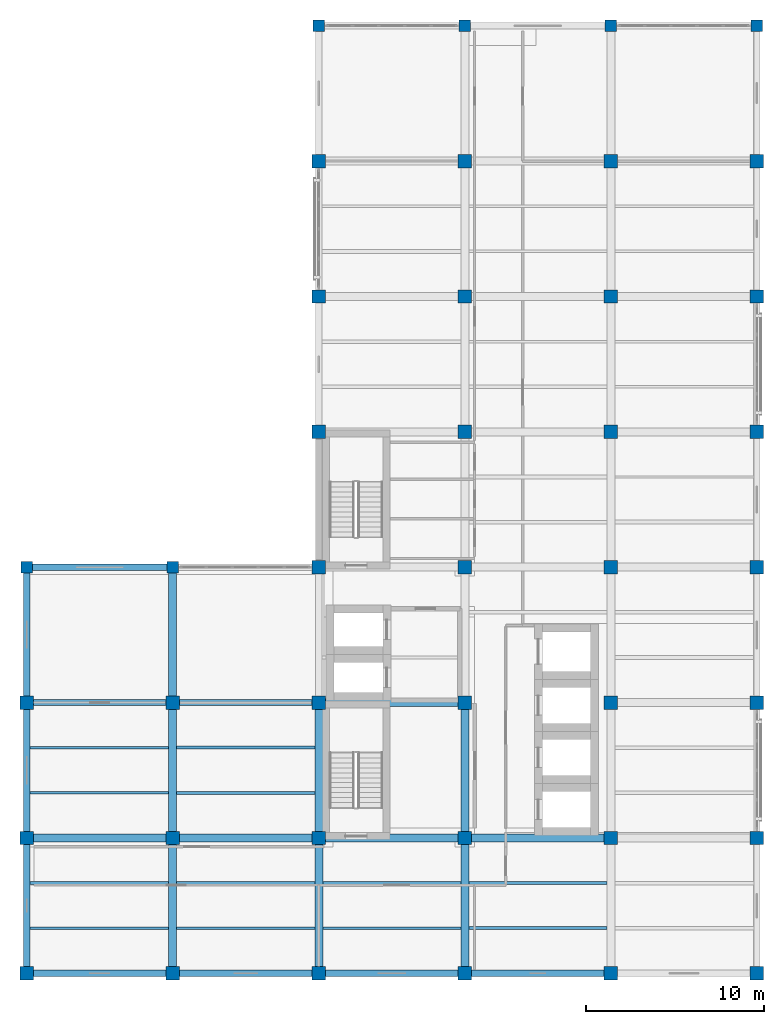
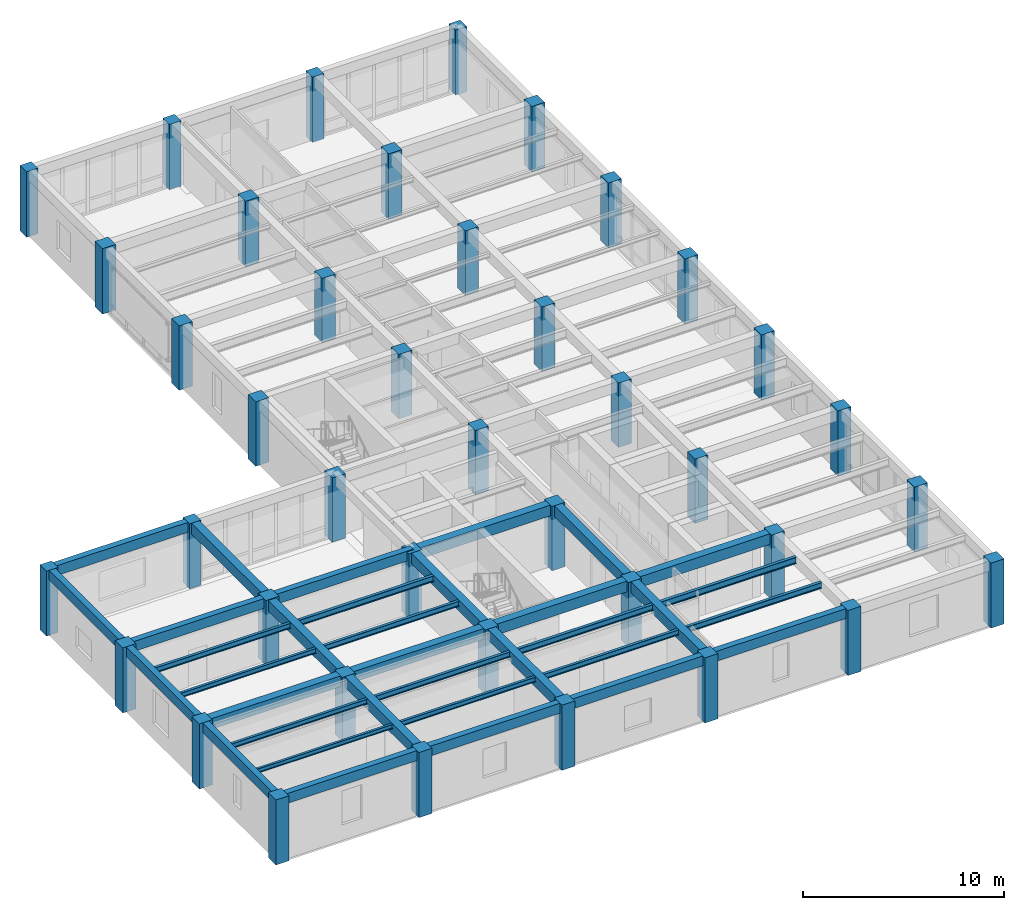
# One storey, part 1 of 14: 40 columns, 34 beams.
"""IFC4 building model written with IfcOpenShell, lengths in metres."""

import ifcopenshell
import ifcopenshell.guid

model = None  # the IFC model being written
_history = None  # IfcOwnerHistory: only IFC2X3 demands one
_inside = {}  # id of a spatial element -> (the spatial element, [elements in it])
_under = {}  # id of a project, library or spatial element -> (it, [spatial elements below it])
_declared = {}  # id of a project -> (the project, [libraries it declares])
_typed = {}  # id of a type object -> (the type object, [elements of that type])
_made_of = {}  # id of a material, layer set ... -> (it, [elements and type objects made of it])


def new_model(schema):
    """Start an empty IFC model of exactly this schema.

    Asked for "IFC4X3", IfcOpenShell would pick the latest addendum, in which some entities
    have other attributes; the version numbers below select the first issue.
    IFC2X3 requires an IfcOwnerHistory on every rooted entity: one is made here for all.
    """
    global model, _history
    if schema == "IFC4X3":
        model = ifcopenshell.file(schema_version=(4, 3, 0, 0))
    else:
        model = ifcopenshell.file(schema=schema)
    _inside.clear()
    _under.clear()
    _declared.clear()
    _typed.clear()
    _made_of.clear()
    _history = None
    if model.schema == "IFC2X3":
        org = make("IfcOrganization", Name="unknown")
        user = make(
            "IfcPersonAndOrganization",
            ThePerson=make("IfcPerson", FamilyName="unknown"),
            TheOrganization=org,
        )
        app = make(
            "IfcApplication",
            ApplicationDeveloper=org,
            Version="unknown",
            ApplicationFullName="unknown",
            ApplicationIdentifier="unknown",
        )
        _history = make(
            "IfcOwnerHistory",
            OwningUser=user,
            OwningApplication=app,
            ChangeAction="ADDED",
            CreationDate=0,
        )
    return model


def make(cls, **values):
    """One entity of the class cls with the attributes given. An attribute that is None is left unset."""
    return model.create_entity(
        cls, **{name: value for name, value in values.items() if value is not None}
    )


def rooted(cls, **values):
    """An entity with a GlobalId (a new one), such as an element, a storey or a relation."""
    return make(cls, GlobalId=ifcopenshell.guid.new(), OwnerHistory=_history, **values)


def si_unit(unit_type, name, prefix=None):
    """IfcSIUnit, for example si_unit("LENGTHUNIT", "METRE", prefix="MILLI")."""
    return make("IfcSIUnit", UnitType=unit_type, Prefix=prefix, Name=name)


def assignment(units):
    """IfcUnitAssignment: the units of a project."""
    return None if units is None else make("IfcUnitAssignment", Units=units)


def point(xyz):
    """IfcCartesianPoint."""
    return None if xyz is None else make("IfcCartesianPoint", Coordinates=xyz)


def direction(xyz):
    """IfcDirection."""
    return None if xyz is None else make("IfcDirection", DirectionRatios=xyz)


def frame(location, z_axis=None, x_axis=None):
    """IfcAxis2Placement3D, a coordinate frame: its origin and axes. An axis left out is left unset."""
    return make(
        "IfcAxis2Placement3D",
        Location=point(location),
        Axis=direction(z_axis),
        RefDirection=direction(x_axis),
    )


def frame_2d(location, x_axis=None):
    """IfcAxis2Placement2D, a coordinate frame in the plane: its origin and x axis."""
    return make(
        "IfcAxis2Placement2D", Location=point(location), RefDirection=direction(x_axis)
    )


def origin():
    """The frame at (0, 0, 0) with its axes left unset."""
    return frame((0.0, 0.0, 0.0))


def origin_2d():
    """The frame at (0, 0) in the plane with its x axis left unset."""
    return frame_2d((0.0, 0.0))


def place(relative_to, where):
    """IfcLocalPlacement: puts the frame where relative to a parent placement (None: the world)."""
    return make(
        "IfcLocalPlacement", PlacementRelTo=relative_to, RelativePlacement=where
    )


def context(
    kind, dimensions, precision=None, world=None, true_north=None, identifier=None
):
    """IfcGeometricRepresentationContext, for example the 3D "Model" context."""
    return make(
        "IfcGeometricRepresentationContext",
        ContextIdentifier=identifier,
        ContextType=kind,
        CoordinateSpaceDimension=dimensions,
        Precision=precision,
        WorldCoordinateSystem=world,
        TrueNorth=true_north,
    )


def subcontext(parent, identifier, kind, view, scale=None):
    """IfcGeometricRepresentationSubContext, for example "Body" below "Model"."""
    return make(
        "IfcGeometricRepresentationSubContext",
        ContextIdentifier=identifier,
        ContextType=kind,
        ParentContext=parent,
        TargetScale=scale,
        TargetView=view,
    )


def project(units=None, contexts=None):
    """IfcProject with its units and contexts."""
    return rooted(
        "IfcProject",
        Name="project",
        RepresentationContexts=contexts,
        UnitsInContext=assignment(units),
    )


def spatial(cls, under=None, at=None, **own):
    """A site, building, storey or space (cls), placed at a placement, below another one or the project."""
    s = rooted(cls, ObjectPlacement=at, **own)
    if under is not None:
        _under.setdefault(under.id(), (under, []))[1].append(s)
    return s


def profile(cls, at=None, kind="AREA", **sizes):
    """A parametric profile (cls). Its sizes go by their IFC names, for example OverallWidth=200.0."""
    return make(cls, ProfileType=kind, Position=at, **sizes)


def rectangle(**sizes):
    """IfcRectangleProfileDef."""
    return profile("IfcRectangleProfileDef", **sizes)


def i_section(**sizes):
    """IfcIShapeProfileDef."""
    return profile("IfcIShapeProfileDef", **sizes)


def extrude(swept, where, along, depth):
    """IfcExtrudedAreaSolid: the profile swept, set in the frame where, extruded along a direction by depth."""
    return make(
        "IfcExtrudedAreaSolid",
        SweptArea=swept,
        Position=where,
        ExtrudedDirection=direction(along),
        Depth=depth,
    )


def shape(context_of_items, identifier, shape_type, items):
    """IfcShapeRepresentation: the items that make up one representation, for example the "Body"."""
    return make(
        "IfcShapeRepresentation",
        ContextOfItems=context_of_items,
        RepresentationIdentifier=identifier,
        RepresentationType=shape_type,
        Items=items,
    )


def material(Name=None, Category=None):
    """IfcMaterial."""
    return make("IfcMaterial", Name=Name, Category=Category)


def material_profile(
    of_material, cross_section, Name=None, Category=None, Priority=None
):
    """IfcMaterialProfile: a cross section and its material."""
    return make(
        "IfcMaterialProfile",
        Name=Name,
        Material=of_material,
        Profile=cross_section,
        Priority=Priority,
        Category=Category,
    )


def profile_set(profiles, Name=None, composite=None):
    """IfcMaterialProfileSet."""
    return make(
        "IfcMaterialProfileSet",
        Name=Name,
        MaterialProfiles=profiles,
        CompositeProfile=composite,
    )


def made_of(thing, what):
    """Note that an element or type object is made of a material, layer set ...; save() writes the relation."""
    if what is not None:
        _made_of.setdefault(what.id(), (what, []))[1].append(thing)
    return thing


def type_object(cls, material=None, **own):
    """A type object (cls), such as IfcWallType, which elements share."""
    return made_of(rooted(cls, **own), material)


def element(
    cls,
    number,
    at=None,
    inside=None,
    cuts=None,
    type_object=None,
    material=None,
    context=None,
    identifier="Body",
    shape_type=None,
    held_by="IfcProductDefinitionShape",
    body=None,
    shapes=None,
    **own,
):
    """One element of the class cls, such as IfcWall. Its Tag is "e" and its number.

    at: its placement. inside: the storey or other place that contains it. cuts: it is an
    opening in that element (IfcRelVoidsElement). A single representation is given by context,
    identifier, shape_type and body (its items); several are given by shapes. held_by: the class
    of the entity that holds the representations. save() writes the other relations.
    """
    e = rooted(cls, Tag="e%d" % number, ObjectPlacement=at, **own)
    if body is not None:
        shapes = [shape(context, identifier, shape_type, body)]
    if shapes is not None:
        e.Representation = make(held_by, Representations=shapes)
    if inside is not None:
        _inside.setdefault(inside.id(), (inside, []))[1].append(e)
    if cuts is not None:
        rooted(
            "IfcRelVoidsElement", RelatingBuildingElement=cuts, RelatedOpeningElement=e
        )
    if type_object is not None:
        _typed.setdefault(type_object.id(), (type_object, []))[1].append(e)
    return made_of(e, material)


def aggregate(whole, parts):
    """IfcRelAggregates: a whole, such as a stair, and the parts it consists of."""
    return rooted("IfcRelAggregates", RelatingObject=whole, RelatedObjects=parts)


def save(model, path):
    """Write the relations noted so far, then the file.

    IfcRelAggregates (storeys below a building ...), IfcRelContainedInSpatialStructure (elements
    in a storey), IfcRelDefinesByType, IfcRelAssociatesMaterial and IfcRelDeclares: one each for
    every whole, place, type object, material and project.
    """
    for whole, parts in _under.values():
        aggregate(whole, parts)
    for where, things in _inside.values():
        rooted(
            "IfcRelContainedInSpatialStructure",
            RelatedElements=things,
            RelatingStructure=where,
        )
    for kind, things in _typed.values():
        rooted("IfcRelDefinesByType", RelatedObjects=things, RelatingType=kind)
    for what, things in _made_of.values():
        rooted("IfcRelAssociatesMaterial", RelatedObjects=things, RelatingMaterial=what)
    for by, libraries in _declared.values():
        rooted("IfcRelDeclares", RelatingContext=by, RelatedDefinitions=libraries)
    model.write(path)


model = new_model("IFC4")

# Units and contexts
model_context = context("Model", 3, precision=1e-05, world=origin(), true_north=direction((0.0, 1.0)))
body_context = subcontext(model_context, "Body", "Model", "MODEL_VIEW")
ifc_project = project(units=[si_unit("LENGTHUNIT", "METRE"), si_unit("AREAUNIT", "SQUARE_METRE"), si_unit("VOLUMEUNIT", "CUBIC_METRE"), si_unit("PLANEANGLEUNIT", "RADIAN"), si_unit("MASSUNIT", "GRAM", prefix="KILO")], contexts=[model_context])

# Site, building, storey
site_placement = place(None, origin())
site = spatial("IfcSite", under=ifc_project, at=site_placement, CompositionType="ELEMENT")
building_placement = place(site_placement, origin())
building = spatial("IfcBuilding", under=site, at=building_placement, Name="Qandaris Square Conservatory and Botanical Centre", CompositionType="ELEMENT")
storey_placement = place(building_placement, frame((0.0, 0.0, 49.199951171875)))
storey = spatial("IfcBuildingStorey", under=building, at=storey_placement, Name="L11", CompositionType="ELEMENT", Elevation=49.199951171875)

# Columns
ifc_material_1 = material(Name="Concrete C50/60", Category="concrete")
ifc_material_profile_1 = material_profile(ifc_material_1, rectangle(XDim=0.64990234375, YDim=0.64990234375, at=origin_2d()), Name="RC-COL 650x650")
ifc_profile_set_1 = profile_set([ifc_material_profile_1], Name="Concrete C50/60")
column_type_1 = type_object("IfcColumnType", Name="RC Column 650x650", PredefinedType="COLUMN", material=ifc_profile_set_1)
for number, where, z_axis, x_axis, name in (
    (1, (122.800048828125, 39.39990234375, 0.0), (0.0, 0.0, 1.0), (1.0, 0.0, 0.0), "Column E15 (L11)"),
    (2, (131.0, 39.39990234375, 0.0), (0.0, 0.0, 1.0), (1.0, 0.0, 0.0), "Column E16 (L11)"),
):
    element("IfcColumn", number, at=place(storey_placement, frame(where, z_axis=z_axis, x_axis=x_axis)), inside=storey, type_object=column_type_1, Name=name, PredefinedType="COLUMN", context=body_context, shape_type="SweptSolid", body=[
        extrude(rectangle(XDim=0.64990234375, YDim=0.64990234375, at=origin_2d()), origin(), (0.0, 0.0, 1.0), 3.945068359375),
    ])
for number, where, z_axis, x_axis, name in (
    (3, (139.199951171875, 69.800048828125, 0.0), (0.0, 0.0, 1.0), (1.0, 0.0, 0.0), "Column J17 (L11)"),
    (4, (147.39990234375, 69.800048828125, 0.0), (0.0, 0.0, 1.0), (1.0, 0.0, 0.0), "Column J18 (L11)"),
    (5, (155.60009765625, 69.800048828125, 0.0), (0.0, 0.0, 1.0), (1.0, 0.0, 0.0), "Column J19 (L11)"),
):
    element("IfcColumn", number, at=place(storey_placement, frame(where, z_axis=z_axis, x_axis=x_axis)), inside=storey, type_object=column_type_1, Name=name, PredefinedType="COLUMN", context=body_context, shape_type="SweptSolid", body=[
        extrude(rectangle(XDim=0.64990234375, YDim=0.64990234375, at=origin_2d()), origin(), (0.0, 0.0, 1.0), 3.969970703125),
    ])
column_1_placement = place(storey_placement, frame((163.800048828125, 69.800048828125, 0.0), z_axis=(0.0, 0.0, 1.0), x_axis=(1.0, 0.0, 0.0)))
element("IfcColumn", 6, at=column_1_placement, inside=storey, type_object=column_type_1, Name="Column J20 (L11)", PredefinedType="COLUMN", context=body_context, shape_type="SweptSolid", body=[
    extrude(rectangle(XDim=0.64990234375, YDim=0.64990234375, at=origin_2d()), origin(), (0.0, 0.0, 1.0), 3.945068359375),
])
ifc_material_profile_2 = material_profile(ifc_material_1, rectangle(XDim=0.75, YDim=0.75, at=origin_2d()), Name="RC-COL 750x750")
ifc_profile_set_2 = profile_set([ifc_material_profile_2], Name="Concrete C50/60")
column_type_2 = type_object("IfcColumnType", Name="RC Column 750x750", PredefinedType="COLUMN", material=ifc_profile_set_2)
for number, where, z_axis, x_axis, name in (
    (7, (122.800048828125, 16.60009765625, 0.0), (0.0, 0.0, 1.0), (1.0, 0.0, 0.0), "Column B15 (L11)"),
    (8, (122.800048828125, 24.199951171875, 0.0), (0.0, 0.0, 1.0), (1.0, 0.0, 0.0), "Column C15 (L11)"),
    (9, (122.800048828125, 31.800048828125, 0.0), (0.0, 0.0, 1.0), (1.0, 0.0, 0.0), "Column D15 (L11)"),
    (10, (131.0, 16.60009765625, 0.0), (0.0, 0.0, 1.0), (1.0, 0.0, 0.0), "Column B16 (L11)"),
):
    element("IfcColumn", number, at=place(storey_placement, frame(where, z_axis=z_axis, x_axis=x_axis)), inside=storey, type_object=column_type_2, Name=name, PredefinedType="COLUMN", context=body_context, shape_type="SweptSolid", body=[
        extrude(rectangle(XDim=0.75, YDim=0.75, at=origin_2d()), origin(), (0.0, 0.0, 1.0), 3.945068359375),
    ])
column_2_placement = place(storey_placement, frame((131.0, 24.199951171875, 0.0), z_axis=(0.0, 0.0, 1.0), x_axis=(1.0, 0.0, 0.0)))
element("IfcColumn", 11, at=column_2_placement, inside=storey, type_object=column_type_2, Name="Column C16 (L11)", PredefinedType="COLUMN", context=body_context, shape_type="SweptSolid", body=[
    extrude(rectangle(XDim=0.75, YDim=0.75, at=origin_2d()), origin(), (0.0, 0.0, 1.0), 3.900146484375),
])
for number, where, z_axis, x_axis, name in (
    (12, (131.0, 31.800048828125, 0.0), (0.0, 0.0, 1.0), (1.0, 0.0, 0.0), "Column D16 (L11)"),
    (13, (139.199951171875, 16.60009765625, 0.0), (0.0, 0.0, 1.0), (1.0, 0.0, 0.0), "Column B17 (L11)"),
):
    element("IfcColumn", number, at=place(storey_placement, frame(where, z_axis=z_axis, x_axis=x_axis)), inside=storey, type_object=column_type_2, Name=name, PredefinedType="COLUMN", context=body_context, shape_type="SweptSolid", body=[
        extrude(rectangle(XDim=0.75, YDim=0.75, at=origin_2d()), origin(), (0.0, 0.0, 1.0), 3.945068359375),
    ])
for number, where, z_axis, x_axis, name in (
    (14, (139.199951171875, 24.199951171875, 0.0), (0.0, 0.0, 1.0), (1.0, 0.0, 0.0), "Column C17 (L11)"),
    (15, (139.199951171875, 31.800048828125, 0.0), (0.0, 0.0, 1.0), (1.0, 0.0, 0.0), "Column D17 (L11)"),
    (16, (139.199951171875, 39.39990234375, 0.0), (0.0, 0.0, 1.0), (1.0, 0.0, 0.0), "Column E17 (L11)"),
    (17, (139.199951171875, 47.0, 0.0), (0.0, 0.0, 1.0), (1.0, 0.0, 0.0), "Column F17 (L11)"),
    (18, (139.199951171875, 54.60009765625, 0.0), (0.0, 0.0, 1.0), (1.0, 0.0, 0.0), "Column G17 (L11)"),
):
    element("IfcColumn", number, at=place(storey_placement, frame(where, z_axis=z_axis, x_axis=x_axis)), inside=storey, type_object=column_type_2, Name=name, PredefinedType="COLUMN", context=body_context, shape_type="SweptSolid", body=[
        extrude(rectangle(XDim=0.75, YDim=0.75, at=origin_2d()), origin(), (0.0, 0.0, 1.0), 3.900146484375),
    ])
column_3_placement = place(storey_placement, frame((139.199951171875, 62.199951171875, 0.0), z_axis=(0.0, 0.0, 1.0), x_axis=(1.0, 0.0, 0.0)))
element("IfcColumn", 19, at=column_3_placement, inside=storey, type_object=column_type_2, Name="Column H17 (L11)", PredefinedType="COLUMN", context=body_context, shape_type="SweptSolid", body=[
    extrude(rectangle(XDim=0.75, YDim=0.75, at=origin_2d()), origin(), (0.0, 0.0, 1.0), 3.969970703125),
])
column_4_placement = place(storey_placement, frame((147.39990234375, 16.60009765625, 0.0), z_axis=(0.0, 0.0, 1.0), x_axis=(1.0, 0.0, 0.0)))
element("IfcColumn", 20, at=column_4_placement, inside=storey, type_object=column_type_2, Name="Column B18 (L11)", PredefinedType="COLUMN", context=body_context, shape_type="SweptSolid", body=[
    extrude(rectangle(XDim=0.75, YDim=0.75, at=origin_2d()), origin(), (0.0, 0.0, 1.0), 3.945068359375),
])
for number, where, z_axis, x_axis, name in (
    (21, (147.39990234375, 24.199951171875, 0.0), (0.0, 0.0, 1.0), (1.0, 0.0, 0.0), "Column C18 (L11)"),
    (22, (147.39990234375, 31.800048828125, 0.0), (0.0, 0.0, 1.0), (1.0, 0.0, 0.0), "Column D18 (L11)"),
    (23, (147.39990234375, 39.39990234375, 0.0), (0.0, 0.0, 1.0), (1.0, 0.0, 0.0), "Column E18 (L11)"),
    (24, (147.39990234375, 47.0, 0.0), (0.0, 0.0, 1.0), (1.0, 0.0, 0.0), "Column F18 (L11)"),
    (25, (147.39990234375, 54.60009765625, 0.0), (0.0, 0.0, 1.0), (1.0, 0.0, 0.0), "Column G18 (L11)"),
):
    element("IfcColumn", number, at=place(storey_placement, frame(where, z_axis=z_axis, x_axis=x_axis)), inside=storey, type_object=column_type_2, Name=name, PredefinedType="COLUMN", context=body_context, shape_type="SweptSolid", body=[
        extrude(rectangle(XDim=0.75, YDim=0.75, at=origin_2d()), origin(), (0.0, 0.0, 1.0), 3.900146484375),
    ])
column_5_placement = place(storey_placement, frame((147.39990234375, 62.199951171875, 0.0), z_axis=(0.0, 0.0, 1.0), x_axis=(1.0, 0.0, 0.0)))
element("IfcColumn", 26, at=column_5_placement, inside=storey, type_object=column_type_2, Name="Column H18 (L11)", PredefinedType="COLUMN", context=body_context, shape_type="SweptSolid", body=[
    extrude(rectangle(XDim=0.75, YDim=0.75, at=origin_2d()), origin(), (0.0, 0.0, 1.0), 3.969970703125),
])
column_6_placement = place(storey_placement, frame((155.60009765625, 16.60009765625, 0.0), z_axis=(0.0, 0.0, 1.0), x_axis=(1.0, 0.0, 0.0)))
element("IfcColumn", 27, at=column_6_placement, inside=storey, type_object=column_type_2, Name="Column B19 (L11)", PredefinedType="COLUMN", context=body_context, shape_type="SweptSolid", body=[
    extrude(rectangle(XDim=0.75, YDim=0.75, at=origin_2d()), origin(), (0.0, 0.0, 1.0), 3.945068359375),
])
for number, where, z_axis, x_axis, name in (
    (28, (155.60009765625, 24.199951171875, 0.0), (0.0, 0.0, 1.0), (1.0, 0.0, 0.0), "Column C19 (L11)"),
    (29, (155.60009765625, 31.800048828125, 0.0), (0.0, 0.0, 1.0), (1.0, 0.0, 0.0), "Column D19 (L11)"),
    (30, (155.60009765625, 39.39990234375, 0.0), (0.0, 0.0, 1.0), (1.0, 0.0, 0.0), "Column E19 (L11)"),
    (31, (155.60009765625, 47.0, 0.0), (0.0, 0.0, 1.0), (1.0, 0.0, 0.0), "Column F19 (L11)"),
    (32, (155.60009765625, 54.60009765625, 0.0), (0.0, 0.0, 1.0), (1.0, 0.0, 0.0), "Column G19 (L11)"),
):
    element("IfcColumn", number, at=place(storey_placement, frame(where, z_axis=z_axis, x_axis=x_axis)), inside=storey, type_object=column_type_2, Name=name, PredefinedType="COLUMN", context=body_context, shape_type="SweptSolid", body=[
        extrude(rectangle(XDim=0.75, YDim=0.75, at=origin_2d()), origin(), (0.0, 0.0, 1.0), 3.900146484375),
    ])
column_7_placement = place(storey_placement, frame((155.60009765625, 62.199951171875, 0.0), z_axis=(0.0, 0.0, 1.0), x_axis=(1.0, 0.0, 0.0)))
element("IfcColumn", 33, at=column_7_placement, inside=storey, type_object=column_type_2, Name="Column H19 (L11)", PredefinedType="COLUMN", context=body_context, shape_type="SweptSolid", body=[
    extrude(rectangle(XDim=0.75, YDim=0.75, at=origin_2d()), origin(), (0.0, 0.0, 1.0), 3.969970703125),
])
for number, where, z_axis, x_axis, name in (
    (34, (163.800048828125, 16.60009765625, 0.0), (0.0, 0.0, 1.0), (1.0, 0.0, 0.0), "Column B20 (L11)"),
    (35, (163.800048828125, 24.199951171875, 0.0), (0.0, 0.0, 1.0), (1.0, 0.0, 0.0), "Column C20 (L11)"),
    (36, (163.800048828125, 31.800048828125, 0.0), (0.0, 0.0, 1.0), (1.0, 0.0, 0.0), "Column D20 (L11)"),
    (37, (163.800048828125, 39.39990234375, 0.0), (0.0, 0.0, 1.0), (1.0, 0.0, 0.0), "Column E20 (L11)"),
    (38, (163.800048828125, 47.0, 0.0), (0.0, 0.0, 1.0), (1.0, 0.0, 0.0), "Column F20 (L11)"),
    (39, (163.800048828125, 54.60009765625, 0.0), (0.0, 0.0, 1.0), (1.0, 0.0, 0.0), "Column G20 (L11)"),
):
    element("IfcColumn", number, at=place(storey_placement, frame(where, z_axis=z_axis, x_axis=x_axis)), inside=storey, type_object=column_type_2, Name=name, PredefinedType="COLUMN", context=body_context, shape_type="SweptSolid", body=[
        extrude(rectangle(XDim=0.75, YDim=0.75, at=origin_2d()), origin(), (0.0, 0.0, 1.0), 3.945068359375),
    ])
column_8_placement = place(storey_placement, frame((163.800048828125, 62.199951171875, 0.0), z_axis=(0.0, 0.0, 1.0), x_axis=(1.0, 0.0, 0.0)))
element("IfcColumn", 40, at=column_8_placement, inside=storey, type_object=column_type_2, Name="Column H20 (L11)", PredefinedType="COLUMN", context=body_context, shape_type="SweptSolid", body=[
    extrude(rectangle(XDim=0.75, YDim=0.75, at=origin_2d()), origin(), (0.0, 0.0, 1.0), 3.969970703125),
])

# Beams
ifc_material_2 = material(Name="Steel S355", Category="steel")
ifc_material_profile_3 = material_profile(ifc_material_2, i_section(OverallWidth=0.14990234375, OverallDepth=0.300048828125, WebThickness=0.007080078125, FlangeThickness=0.0107421875, FilletRadius=0.014892578125, at=origin_2d()), Name="IPE 300")
ifc_profile_set_3 = profile_set([ifc_material_profile_3], Name="Steel S355")
beam_type_1 = type_object("IfcBeamType", Name="Composite Lab Joist IPE 300", PredefinedType="JOIST", material=ifc_profile_set_3)
for number, where, z_axis, x_axis, name in (
    (41, (122.97509765625, 21.666748046875, 3.739990234375), (1.0, 0.0, 0.0), (0.0, 1.0, 0.0), "L11 Composite Joist 2609"),
    (42, (122.97509765625, 26.7333984375, 3.739990234375), (1.0, 0.0, 0.0), (0.0, 1.0, 0.0), "L11 Composite Joist 2610"),
):
    element("IfcBeam", number, at=place(storey_placement, frame(where, z_axis=z_axis, x_axis=x_axis)), inside=storey, type_object=beam_type_1, Name=name, PredefinedType="JOIST", context=body_context, shape_type="SweptSolid", body=[
        extrude(i_section(OverallWidth=0.14990234375, OverallDepth=0.300048828125, WebThickness=0.007080078125, FlangeThickness=0.0107421875, FilletRadius=0.014892578125, at=origin_2d()), origin(), (0.0, 0.0, 1.0), 7.7998046875),
    ])
beam_1_placement = place(storey_placement, frame((131.22509765625, 19.13330078125, 3.739990234375), z_axis=(1.0, 0.0, 0.0), x_axis=(0.0, 1.0, 0.0)))
element("IfcBeam", 43, at=beam_1_placement, inside=storey, type_object=beam_type_1, Name="L11 Composite Joist 2612", PredefinedType="JOIST", context=body_context, shape_type="SweptSolid", body=[
    extrude(i_section(OverallWidth=0.14990234375, OverallDepth=0.300048828125, WebThickness=0.007080078125, FlangeThickness=0.0107421875, FilletRadius=0.014892578125, at=origin_2d()), origin(), (0.0, 0.0, 1.0), 7.75),
])
ifc_material_profile_4 = material_profile(ifc_material_2, i_section(OverallWidth=0.159912109375, OverallDepth=0.330078125, WebThickness=0.007568359375, FlangeThickness=0.011474609375, FilletRadius=0.01806640625, at=origin_2d()), Name="IPE 330")
ifc_profile_set_4 = profile_set([ifc_material_profile_4], Name="Steel S355")
beam_type_2 = type_object("IfcBeamType", Name="Composite Lab Joist IPE 330", PredefinedType="JOIST", material=ifc_profile_set_4)
beam_2_placement = place(storey_placement, frame((122.97509765625, 29.2666015625, 3.72509765625), z_axis=(1.0, 0.0, 0.0), x_axis=(0.0, 1.0, 0.0)))
element("IfcBeam", 44, at=beam_2_placement, inside=storey, type_object=beam_type_2, Name="L11 Composite Joist 2611", PredefinedType="JOIST", context=body_context, shape_type="SweptSolid", body=[
    extrude(i_section(OverallWidth=0.159912109375, OverallDepth=0.330078125, WebThickness=0.007568359375, FlangeThickness=0.011474609375, FilletRadius=0.01806640625, at=origin_2d()), origin(), (0.0, 0.0, 1.0), 7.7998046875),
])
for number, where, z_axis, x_axis, name in (
    (45, (131.22509765625, 21.666748046875, 3.72509765625), (1.0, 0.0, 0.0), (0.0, 1.0, 0.0), "L11 Composite Joist 2613"),
    (46, (131.22509765625, 26.7333984375, 3.72509765625), (1.0, 0.0, 0.0), (0.0, 1.0, 0.0), "L11 Composite Joist 2614"),
    (47, (139.425048828125, 19.13330078125, 3.72509765625), (1.0, 0.0, 0.0), (0.0, 1.0, 0.0), "L11 Composite Joist 2616"),
):
    element("IfcBeam", number, at=place(storey_placement, frame(where, z_axis=z_axis, x_axis=x_axis)), inside=storey, type_object=beam_type_2, Name=name, PredefinedType="JOIST", context=body_context, shape_type="SweptSolid", body=[
        extrude(i_section(OverallWidth=0.159912109375, OverallDepth=0.330078125, WebThickness=0.007568359375, FlangeThickness=0.011474609375, FilletRadius=0.01806640625, at=origin_2d()), origin(), (0.0, 0.0, 1.0), 7.75),
    ])
ifc_material_profile_5 = material_profile(ifc_material_2, i_section(OverallWidth=0.169921875, OverallDepth=0.360107421875, WebThickness=0.008056640625, FlangeThickness=0.0126953125, FilletRadius=0.01806640625, at=origin_2d()), Name="IPE 360")
ifc_profile_set_5 = profile_set([ifc_material_profile_5], Name="Steel S355")
beam_type_3 = type_object("IfcBeamType", Name="Composite Lab Joist IPE 360", PredefinedType="JOIST", material=ifc_profile_set_5)
for number, where, z_axis, x_axis, name in (
    (48, (131.22509765625, 29.2666015625, 3.7099609375), (1.0, 0.0, 0.0), (0.0, 1.0, 0.0), "L11 Composite Joist 2615"),
    (49, (139.425048828125, 21.666748046875, 3.7099609375), (1.0, 0.0, 0.0), (0.0, 1.0, 0.0), "L11 Composite Joist 2617"),
    (50, (147.625, 19.13330078125, 3.7099609375), (1.0, 0.0, 0.0), (0.0, 1.0, 0.0), "L11 Composite Joist 2623"),
):
    element("IfcBeam", number, at=place(storey_placement, frame(where, z_axis=z_axis, x_axis=x_axis)), inside=storey, type_object=beam_type_3, Name=name, PredefinedType="JOIST", context=body_context, shape_type="SweptSolid", body=[
        extrude(i_section(OverallWidth=0.169921875, OverallDepth=0.360107421875, WebThickness=0.008056640625, FlangeThickness=0.0126953125, FilletRadius=0.01806640625, at=origin_2d()), origin(), (0.0, 0.0, 1.0), 7.75),
    ])
ifc_material_profile_6 = material_profile(ifc_material_2, i_section(OverallWidth=0.179931640625, OverallDepth=0.39990234375, WebThickness=0.008544921875, FlangeThickness=0.013427734375, FilletRadius=0.02099609375, at=origin_2d()), Name="IPE 400")
ifc_profile_set_6 = profile_set([ifc_material_profile_6], Name="Steel S355")
beam_type_4 = type_object("IfcBeamType", Name="Composite Plinth Joist IPE 400", PredefinedType="JOIST", material=ifc_profile_set_6)
beam_3_placement = place(storey_placement, frame((147.625, 21.666748046875, 3.68994140625), z_axis=(1.0, 0.0, 0.0), x_axis=(0.0, 1.0, 0.0)))
element("IfcBeam", 51, at=beam_3_placement, inside=storey, type_object=beam_type_4, Name="L11 Composite Joist 2624", PredefinedType="JOIST", context=body_context, shape_type="SweptSolid", body=[
    extrude(i_section(OverallWidth=0.179931640625, OverallDepth=0.39990234375, WebThickness=0.008544921875, FlangeThickness=0.013427734375, FilletRadius=0.02099609375, at=origin_2d()), origin(), (0.0, 0.0, 1.0), 7.75),
])
ifc_material_profile_7 = material_profile(ifc_material_1, rectangle(XDim=0.35009765625, YDim=0.60009765625, at=origin_2d()), Name="RC-SP 350x600")
ifc_profile_set_7 = profile_set([ifc_material_profile_7], Name="Concrete C50/60")
beam_type_5 = type_object("IfcBeamType", Name="RC Edge Spandrel Beam 350x600", PredefinedType="SPANDREL", material=ifc_profile_set_7)
for number, where, z_axis, x_axis, name in (
    (52, (122.800048828125, 16.60009765625, 3.64501953125), (1.0, 0.0, 0.0), (0.0, 1.0, 0.0), "L11 Frame Beam 2543"),
    (53, (131.0, 16.60009765625, 3.64501953125), (1.0, 0.0, 0.0), (0.0, 1.0, 0.0), "L11 Frame Beam 2544"),
    (54, (139.199951171875, 16.60009765625, 3.64501953125), (1.0, 0.0, 0.0), (0.0, 1.0, 0.0), "L11 Frame Beam 2545"),
):
    element("IfcBeam", number, at=place(storey_placement, frame(where, z_axis=z_axis, x_axis=x_axis)), inside=storey, type_object=beam_type_5, Name=name, PredefinedType="SPANDREL", context=body_context, shape_type="SweptSolid", body=[
        extrude(rectangle(XDim=0.35009765625, YDim=0.60009765625, at=origin_2d()), origin(), (0.0, 0.0, 1.0), 8.199951171875),
    ])
beam_4_placement = place(storey_placement, frame((147.39990234375, 16.60009765625, 3.64501953125), z_axis=(1.0, 0.0, 0.0), x_axis=(0.0, 1.0, 0.0)))
element("IfcBeam", 55, at=beam_4_placement, inside=storey, type_object=beam_type_5, Name="L11 Frame Beam 2546", PredefinedType="SPANDREL", context=body_context, shape_type="SweptSolid", body=[
    extrude(rectangle(XDim=0.35009765625, YDim=0.60009765625, at=origin_2d()), origin(), (0.0, 0.0, 1.0), 8.2001953125),
])
for number, where, z_axis, x_axis, name in (
    (56, (122.800048828125, 31.800048828125, 3.64501953125), (1.0, 0.0, 0.0), (0.0, 1.0, 0.0), "L11 Frame Beam 2553"),
    (57, (131.0, 31.800048828125, 3.64501953125), (1.0, 0.0, 0.0), (0.0, 1.0, 0.0), "L11 Frame Beam 2554"),
    (58, (122.800048828125, 39.39990234375, 3.64501953125), (1.0, 0.0, 0.0), (0.0, 1.0, 0.0), "L11 Frame Beam 2557"),
):
    element("IfcBeam", number, at=place(storey_placement, frame(where, z_axis=z_axis, x_axis=x_axis)), inside=storey, type_object=beam_type_5, Name=name, PredefinedType="SPANDREL", context=body_context, shape_type="SweptSolid", body=[
        extrude(rectangle(XDim=0.35009765625, YDim=0.60009765625, at=origin_2d()), origin(), (0.0, 0.0, 1.0), 8.199951171875),
    ])
beam_5_placement = place(storey_placement, frame((122.800048828125, 16.60009765625, 3.64501953125), z_axis=(0.0, 1.0, 0.0), x_axis=(-1.0, 0.0, 0.0)))
element("IfcBeam", 59, at=beam_5_placement, inside=storey, type_object=beam_type_5, Name="L11 Frame Beam 2574", PredefinedType="SPANDREL", context=body_context, shape_type="SweptSolid", body=[
    extrude(rectangle(XDim=0.35009765625, YDim=0.60009765625, at=origin_2d()), origin(), (0.0, 0.0, 1.0), 7.599853515625),
])
beam_6_placement = place(storey_placement, frame((122.800048828125, 24.199951171875, 3.64501953125), z_axis=(0.0, 1.0, 0.0), x_axis=(-1.0, 0.0, 0.0)))
element("IfcBeam", 60, at=beam_6_placement, inside=storey, type_object=beam_type_5, Name="L11 Frame Beam 2575", PredefinedType="SPANDREL", context=body_context, shape_type="SweptSolid", body=[
    extrude(rectangle(XDim=0.35009765625, YDim=0.60009765625, at=origin_2d()), origin(), (0.0, 0.0, 1.0), 7.60009765625),
])
beam_7_placement = place(storey_placement, frame((122.800048828125, 31.800048828125, 3.64501953125), z_axis=(0.0, 1.0, 0.0), x_axis=(-1.0, 0.0, 0.0)))
element("IfcBeam", 61, at=beam_7_placement, inside=storey, type_object=beam_type_5, Name="L11 Frame Beam 2576", PredefinedType="SPANDREL", context=body_context, shape_type="SweptSolid", body=[
    extrude(rectangle(XDim=0.35009765625, YDim=0.60009765625, at=origin_2d()), origin(), (0.0, 0.0, 1.0), 7.599853515625),
])
ifc_material_profile_8 = material_profile(ifc_material_1, rectangle(XDim=0.449951171875, YDim=0.64990234375, at=origin_2d()), Name="RC-BM 450x650")
ifc_profile_set_8 = profile_set([ifc_material_profile_8], Name="Concrete C50/60")
beam_type_6 = type_object("IfcBeamType", Name="RC Floor Girder 450x650", PredefinedType="BEAM", material=ifc_profile_set_8)
for number, where, z_axis, x_axis, name in (
    (62, (122.800048828125, 24.199951171875, 3.574951171875), (1.0, 0.0, 0.0), (0.0, 1.0, 0.0), "L11 Frame Beam 2548"),
    (63, (131.0, 24.199951171875, 3.574951171875), (1.0, 0.0, 0.0), (0.0, 1.0, 0.0), "L11 Frame Beam 2549"),
    (64, (139.199951171875, 24.199951171875, 3.574951171875), (1.0, 0.0, 0.0), (0.0, 1.0, 0.0), "L11 Frame Beam 2550"),
):
    element("IfcBeam", number, at=place(storey_placement, frame(where, z_axis=z_axis, x_axis=x_axis)), inside=storey, type_object=beam_type_6, Name=name, PredefinedType="BEAM", context=body_context, shape_type="SweptSolid", body=[
        extrude(rectangle(XDim=0.449951171875, YDim=0.64990234375, at=origin_2d()), origin(), (0.0, 0.0, 1.0), 8.199951171875),
    ])
beam_8_placement = place(storey_placement, frame((147.39990234375, 24.199951171875, 3.574951171875), z_axis=(1.0, 0.0, 0.0), x_axis=(0.0, 1.0, 0.0)))
element("IfcBeam", 65, at=beam_8_placement, inside=storey, type_object=beam_type_6, Name="L11 Frame Beam 2551", PredefinedType="BEAM", context=body_context, shape_type="SweptSolid", body=[
    extrude(rectangle(XDim=0.449951171875, YDim=0.64990234375, at=origin_2d()), origin(), (0.0, 0.0, 1.0), 8.2001953125),
])
beam_9_placement = place(storey_placement, frame((139.199951171875, 31.800048828125, 3.574951171875), z_axis=(1.0, 0.0, 0.0), x_axis=(0.0, 1.0, 0.0)))
element("IfcBeam", 66, at=beam_9_placement, inside=storey, type_object=beam_type_6, Name="L11 Frame Beam 2555", PredefinedType="BEAM", context=body_context, shape_type="SweptSolid", body=[
    extrude(rectangle(XDim=0.449951171875, YDim=0.64990234375, at=origin_2d()), origin(), (0.0, 0.0, 1.0), 8.199951171875),
])
beam_10_placement = place(storey_placement, frame((131.0, 16.60009765625, 3.574951171875), z_axis=(0.0, 1.0, 0.0), x_axis=(-1.0, 0.0, 0.0)))
element("IfcBeam", 67, at=beam_10_placement, inside=storey, type_object=beam_type_6, Name="L11 Frame Beam 2577", PredefinedType="BEAM", context=body_context, shape_type="SweptSolid", body=[
    extrude(rectangle(XDim=0.449951171875, YDim=0.64990234375, at=origin_2d()), origin(), (0.0, 0.0, 1.0), 7.599853515625),
])
beam_11_placement = place(storey_placement, frame((131.0, 24.199951171875, 3.574951171875), z_axis=(0.0, 1.0, 0.0), x_axis=(-1.0, 0.0, 0.0)))
element("IfcBeam", 68, at=beam_11_placement, inside=storey, type_object=beam_type_6, Name="L11 Frame Beam 2578", PredefinedType="BEAM", context=body_context, shape_type="SweptSolid", body=[
    extrude(rectangle(XDim=0.449951171875, YDim=0.64990234375, at=origin_2d()), origin(), (0.0, 0.0, 1.0), 7.60009765625),
])
for number, where, z_axis, x_axis, name in (
    (69, (131.0, 31.800048828125, 3.6201171875), (0.0, 1.0, 0.0), (-1.0, 0.0, 0.0), "L11 Frame Beam 2579"),
    (70, (139.199951171875, 16.60009765625, 3.574951171875), (0.0, 1.0, 0.0), (-1.0, 0.0, 0.0), "L11 Frame Beam 2580"),
):
    element("IfcBeam", number, at=place(storey_placement, frame(where, z_axis=z_axis, x_axis=x_axis)), inside=storey, type_object=beam_type_6, Name=name, PredefinedType="BEAM", context=body_context, shape_type="SweptSolid", body=[
        extrude(rectangle(XDim=0.449951171875, YDim=0.64990234375, at=origin_2d()), origin(), (0.0, 0.0, 1.0), 7.599853515625),
    ])
beam_12_placement = place(storey_placement, frame((139.199951171875, 24.199951171875, 3.574951171875), z_axis=(0.0, 1.0, 0.0), x_axis=(-1.0, 0.0, 0.0)))
element("IfcBeam", 71, at=beam_12_placement, inside=storey, type_object=beam_type_6, Name="L11 Frame Beam 2581", PredefinedType="BEAM", context=body_context, shape_type="SweptSolid", body=[
    extrude(rectangle(XDim=0.449951171875, YDim=0.64990234375, at=origin_2d()), origin(), (0.0, 0.0, 1.0), 7.60009765625),
])
beam_13_placement = place(storey_placement, frame((147.39990234375, 16.60009765625, 3.574951171875), z_axis=(0.0, 1.0, 0.0), x_axis=(-1.0, 0.0, 0.0)))
element("IfcBeam", 72, at=beam_13_placement, inside=storey, type_object=beam_type_6, Name="L11 Frame Beam 2587", PredefinedType="BEAM", context=body_context, shape_type="SweptSolid", body=[
    extrude(rectangle(XDim=0.449951171875, YDim=0.64990234375, at=origin_2d()), origin(), (0.0, 0.0, 1.0), 7.599853515625),
])
beam_14_placement = place(storey_placement, frame((147.39990234375, 24.199951171875, 3.574951171875), z_axis=(0.0, 1.0, 0.0), x_axis=(-1.0, 0.0, 0.0)))
element("IfcBeam", 73, at=beam_14_placement, inside=storey, type_object=beam_type_6, Name="L11 Frame Beam 2588", PredefinedType="BEAM", context=body_context, shape_type="SweptSolid", body=[
    extrude(rectangle(XDim=0.449951171875, YDim=0.64990234375, at=origin_2d()), origin(), (0.0, 0.0, 1.0), 7.60009765625),
])
ifc_material_profile_9 = material_profile(ifc_material_2, i_section(OverallWidth=0.135009765625, OverallDepth=0.27001953125, WebThickness=0.006591796875, FlangeThickness=0.01025390625, FilletRadius=0.014892578125, at=origin_2d()), Name="IPE 270")
ifc_profile_set_9 = profile_set([ifc_material_profile_9], Name="Steel S355")
beam_type_7 = type_object("IfcBeamType", Name="Steel Floor Joist IPE 270", PredefinedType="JOIST", material=ifc_profile_set_9)
beam_15_placement = place(storey_placement, frame((122.97509765625, 19.13330078125, 3.755126953125), z_axis=(1.0, 0.0, 0.0), x_axis=(0.0, 1.0, 0.0)))
element("IfcBeam", 74, at=beam_15_placement, inside=storey, type_object=beam_type_7, Name="L11 Composite Joist 2608", PredefinedType="JOIST", context=body_context, shape_type="SweptSolid", body=[
    extrude(i_section(OverallWidth=0.135009765625, OverallDepth=0.27001953125, WebThickness=0.006591796875, FlangeThickness=0.01025390625, FilletRadius=0.014892578125, at=origin_2d()), origin(), (0.0, 0.0, 1.0), 7.7998046875),
])

save(model, "model.ifc")
